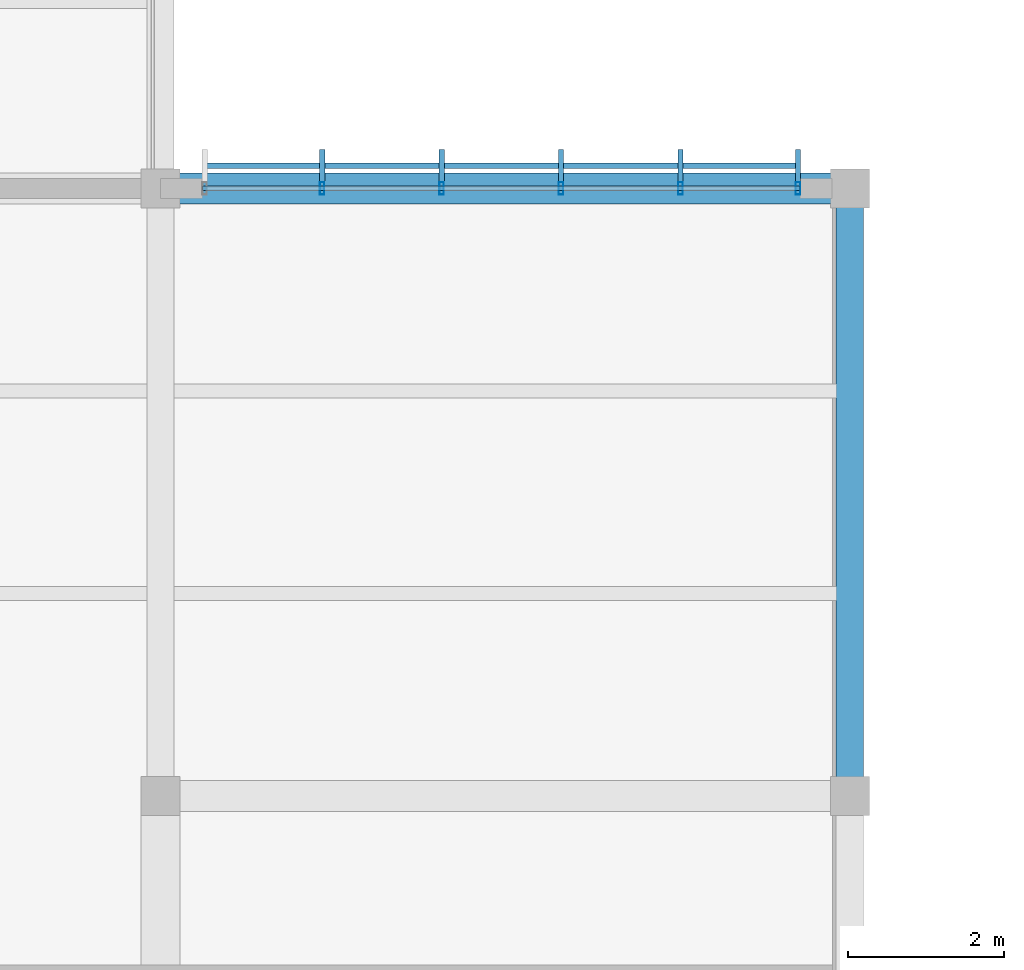
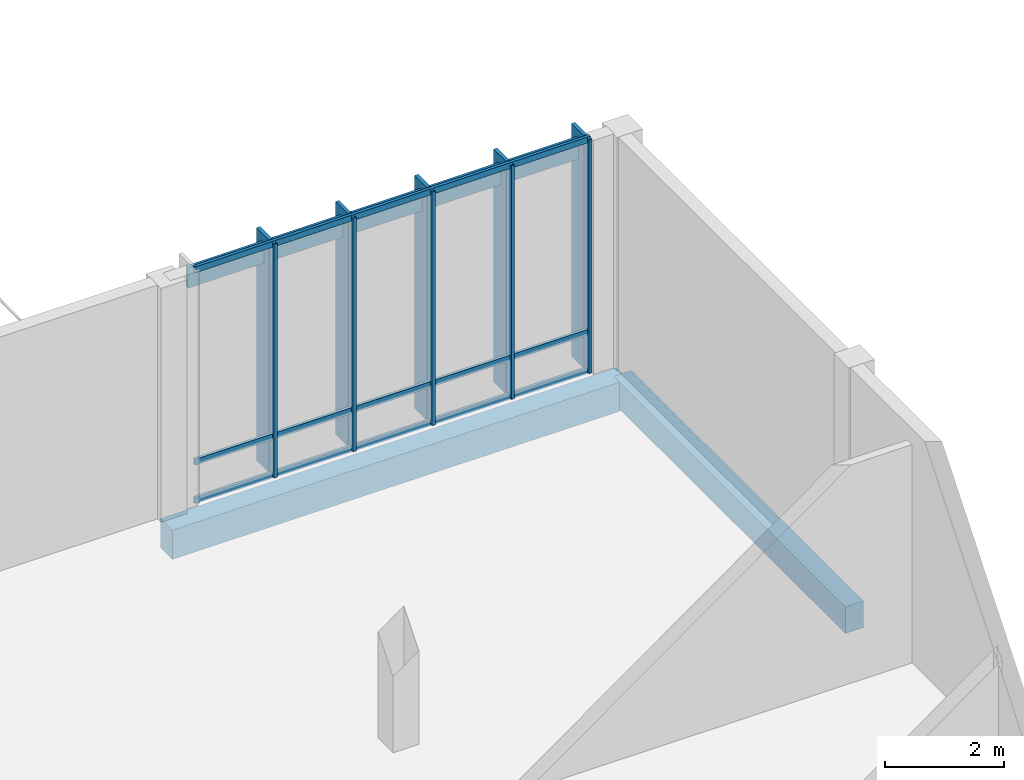
# One storey, part 57 of 177: 14 members, 2 beams, 1 element without a shape of its own.
"""IFC4 building model written with IfcOpenShell, lengths in metres."""

from ifc_helpers import new_model, si_unit, direction, frame, origin, origin_2d, place, context, subcontext, project, spatial, rectangle, hollow_rectangle, extrude, material, material_profile, profile_set, type_object, element, aggregate, save


model = new_model("IFC4")

# Units and contexts
model_context = context("Model", 3, precision=1e-05, world=origin(), true_north=direction((0.0, 1.0)))
body_context = subcontext(model_context, "Body", "Model", "MODEL_VIEW")
ifc_project = project(units=[si_unit("LENGTHUNIT", "METRE"), si_unit("AREAUNIT", "SQUARE_METRE"), si_unit("VOLUMEUNIT", "CUBIC_METRE"), si_unit("PLANEANGLEUNIT", "RADIAN"), si_unit("MASSUNIT", "GRAM", prefix="KILO")], contexts=[model_context])

# Site, building, storey
site_placement = place(None, origin())
site = spatial("IfcSite", under=ifc_project, at=site_placement, CompositionType="ELEMENT")
building_placement = place(site_placement, origin())
building = spatial("IfcBuilding", under=site, at=building_placement, Name="Chiffa Square Polytechnic", CompositionType="ELEMENT")
storey_placement = place(building_placement, frame((0.0, 0.0, 4.800048828125)))
storey = spatial("IfcBuildingStorey", under=building, at=storey_placement, Name="L01", CompositionType="ELEMENT", Elevation=4.800048828125)

# Beams
ifc_material_1 = material(Name="Concrete C35/45", Category="concrete")
ifc_material_profile_1 = material_profile(ifc_material_1, rectangle(XDim=0.35009765625, YDim=0.550048828125, at=origin_2d()), Name="RC 350x550")
ifc_profile_set_1 = profile_set([ifc_material_profile_1], Name="Concrete C35/45")
beam_type_1 = type_object("IfcBeamType", Name="BM-RC-350X550", PredefinedType="BEAM", material=ifc_profile_set_1)
beam_1_placement = place(storey_placement, frame((111.449951171875, 36.0, -0.554931640625), z_axis=(0.0, 1.0, 0.0), x_axis=(-1.0, 0.0, 0.0)))
element("IfcBeam", 1, at=beam_1_placement, inside=storey, type_object=beam_type_1, Name="Primary floor girder BM-V4-L01-Y-1114-0360", PredefinedType="BEAM", context=body_context, shape_type="SweptSolid", body=[
    extrude(rectangle(XDim=0.35009765625, YDim=0.550048828125, at=origin_2d()), origin(), (0.0, 0.0, 1.0), 7.800048828125),
])
ifc_material_profile_2 = material_profile(ifc_material_1, rectangle(XDim=0.39990234375, YDim=0.60009765625, at=origin_2d()), Name="RC 400x600")
ifc_profile_set_2 = profile_set([ifc_material_profile_2], Name="Concrete C35/45")
beam_type_2 = type_object("IfcBeamType", Name="BM-RC-400X600", PredefinedType="BEAM", material=ifc_profile_set_2)
beam_2_placement = place(storey_placement, frame((102.60009765625, 43.800048828125, -0.580078125), z_axis=(1.0, 0.0, 0.0), x_axis=(0.0, 1.0, 0.0)))
element("IfcBeam", 2, at=beam_2_placement, inside=storey, type_object=beam_type_2, Name="Primary floor girder BM-V4-L01-X-1026-0438", PredefinedType="BEAM", context=body_context, shape_type="SweptSolid", body=[
    extrude(rectangle(XDim=0.39990234375, YDim=0.60009765625, at=origin_2d()), origin(), (0.0, 0.0, 1.0), 8.849853515625),
])

# Curtain wall, members
ifc_material_2 = material(Name="Aluminium EN AW-6060 T66 and glulam shading", Category="wood")
curtain_wall_type = type_object("IfcCurtainWallType", Name="CW-VERT-450X380", PredefinedType="USERDEFINED", material=ifc_material_2)
curtain_wall_placement = place(storey_placement, origin())
curtain_wall = element("IfcCurtainWall", 3, at=curtain_wall_placement, inside=storey, type_object=curtain_wall_type, Name="Curtain wall CW-V4-L01-186", ObjectType="CURTAIN WALL", PredefinedType="USERDEFINED")
ifc_material_3 = material(Name="Aluminium EN AW-6060 T66", Category="aluminium")
ifc_material_profile_3 = material_profile(ifc_material_3, hollow_rectangle(XDim=0.06005859375, YDim=0.159912109375, WallThickness=0.00390625, at=origin_2d()), Name="ALU 60x160x4")
ifc_profile_set_3 = profile_set([ifc_material_profile_3], Name="Aluminium EN AW-6060 T66")
member_type_1 = type_object("IfcMemberType", Name="CWM-ALU-65X150", PredefinedType="MULLION", material=ifc_profile_set_3)
member_1_placement = place(storey_placement, frame((110.784912109375, 43.800048828125, 0.0), z_axis=(0.0, 0.0, 1.0), x_axis=(1.0, 0.0, 0.0)))
member_1 = element("IfcMember", 4, at=member_1_placement, type_object=member_type_1, Name="Curtain wall mullion CW-V4-L01-186-M00", PredefinedType="MULLION", context=body_context, shape_type="SweptSolid", body=[
    extrude(hollow_rectangle(XDim=0.06005859375, YDim=0.159912109375, WallThickness=0.00390625, at=origin_2d()), origin(), (0.0, 0.0, 1.0), 4.800048828125),
])
member_2_placement = place(storey_placement, frame((109.27587890625, 43.800048828125, 0.0), z_axis=(0.0, 0.0, 1.0), x_axis=(1.0, 0.0, 0.0)))
member_2 = element("IfcMember", 5, at=member_2_placement, type_object=member_type_1, Name="Curtain wall mullion CW-V4-L01-186-M01", PredefinedType="MULLION", context=body_context, shape_type="SweptSolid", body=[
    extrude(hollow_rectangle(XDim=0.06005859375, YDim=0.159912109375, WallThickness=0.00390625, at=origin_2d()), origin(), (0.0, 0.0, 1.0), 4.800048828125),
])
member_3_placement = place(storey_placement, frame((107.741943359375, 43.800048828125, 0.0), z_axis=(0.0, 0.0, 1.0), x_axis=(1.0, 0.0, 0.0)))
member_3 = element("IfcMember", 6, at=member_3_placement, type_object=member_type_1, Name="Curtain wall mullion CW-V4-L01-186-M02", PredefinedType="MULLION", context=body_context, shape_type="SweptSolid", body=[
    extrude(hollow_rectangle(XDim=0.06005859375, YDim=0.159912109375, WallThickness=0.00390625, at=origin_2d()), origin(), (0.0, 0.0, 1.0), 4.800048828125),
])
member_4_placement = place(storey_placement, frame((106.2080078125, 43.800048828125, 0.0), z_axis=(0.0, 0.0, 1.0), x_axis=(1.0, 0.0, 0.0)))
member_4 = element("IfcMember", 7, at=member_4_placement, type_object=member_type_1, Name="Curtain wall mullion CW-V4-L01-186-M03", PredefinedType="MULLION", context=body_context, shape_type="SweptSolid", body=[
    extrude(hollow_rectangle(XDim=0.06005859375, YDim=0.159912109375, WallThickness=0.00390625, at=origin_2d()), origin(), (0.0, 0.0, 1.0), 4.800048828125),
])
member_5_placement = place(storey_placement, frame((104.674072265625, 43.800048828125, 0.0), z_axis=(0.0, 0.0, 1.0), x_axis=(1.0, 0.0, 0.0)))
member_5 = element("IfcMember", 8, at=member_5_placement, type_object=member_type_1, Name="Curtain wall mullion CW-V4-L01-186-M04", PredefinedType="MULLION", context=body_context, shape_type="SweptSolid", body=[
    extrude(hollow_rectangle(XDim=0.06005859375, YDim=0.159912109375, WallThickness=0.00390625, at=origin_2d()), origin(), (0.0, 0.0, 1.0), 4.800048828125),
])
ifc_material_4 = material(Name="Glulam GL28h", Category="wood")
ifc_material_profile_4 = material_profile(ifc_material_4, rectangle(XDim=0.070068359375, YDim=0.419921875, at=origin_2d()), Name="GL28h 70x420")
ifc_profile_set_4 = profile_set([ifc_material_profile_4], Name="Glulam GL28h")
member_type_2 = type_object("IfcMemberType", Name="CWM-GL-70X420", PredefinedType="MULLION", material=ifc_profile_set_4)
member_6_placement = place(storey_placement, frame((110.784912109375, 44.092041015625, 0.010009765625), z_axis=(0.0, 0.0, 1.0), x_axis=(-1.0, 0.0, 0.0)))
member_6 = element("IfcMember", 9, at=member_6_placement, type_object=member_type_2, Name="Exterior glulam solar fin CW-V4-L01-186-FN00", PredefinedType="MULLION", context=body_context, shape_type="SweptSolid", body=[
    extrude(rectangle(XDim=0.070068359375, YDim=0.419921875, at=origin_2d()), origin(), (0.0, 0.0, 1.0), 4.780029296875),
])
member_7_placement = place(storey_placement, frame((109.27587890625, 44.092041015625, 0.010009765625), z_axis=(0.0, 0.0, 1.0), x_axis=(-1.0, 0.0, 0.0)))
member_7 = element("IfcMember", 10, at=member_7_placement, type_object=member_type_2, Name="Exterior glulam solar fin CW-V4-L01-186-FN01", PredefinedType="MULLION", context=body_context, shape_type="SweptSolid", body=[
    extrude(rectangle(XDim=0.070068359375, YDim=0.419921875, at=origin_2d()), origin(), (0.0, 0.0, 1.0), 4.780029296875),
])
member_8_placement = place(storey_placement, frame((107.741943359375, 44.092041015625, 0.010009765625), z_axis=(0.0, 0.0, 1.0), x_axis=(-1.0, 0.0, 0.0)))
member_8 = element("IfcMember", 11, at=member_8_placement, type_object=member_type_2, Name="Exterior glulam solar fin CW-V4-L01-186-FN02", PredefinedType="MULLION", context=body_context, shape_type="SweptSolid", body=[
    extrude(rectangle(XDim=0.070068359375, YDim=0.419921875, at=origin_2d()), origin(), (0.0, 0.0, 1.0), 4.780029296875),
])
member_9_placement = place(storey_placement, frame((106.2080078125, 44.092041015625, 0.010009765625), z_axis=(0.0, 0.0, 1.0), x_axis=(-1.0, 0.0, 0.0)))
member_9 = element("IfcMember", 12, at=member_9_placement, type_object=member_type_2, Name="Exterior glulam solar fin CW-V4-L01-186-FN03", PredefinedType="MULLION", context=body_context, shape_type="SweptSolid", body=[
    extrude(rectangle(XDim=0.070068359375, YDim=0.419921875, at=origin_2d()), origin(), (0.0, 0.0, 1.0), 4.780029296875),
])
member_10_placement = place(storey_placement, frame((104.674072265625, 44.092041015625, 0.010009765625), z_axis=(0.0, 0.0, 1.0), x_axis=(-1.0, 0.0, 0.0)))
member_10 = element("IfcMember", 13, at=member_10_placement, type_object=member_type_2, Name="Exterior glulam solar fin CW-V4-L01-186-FN04", PredefinedType="MULLION", context=body_context, shape_type="SweptSolid", body=[
    extrude(rectangle(XDim=0.070068359375, YDim=0.419921875, at=origin_2d()), origin(), (0.0, 0.0, 1.0), 4.780029296875),
])
ifc_material_profile_5 = material_profile(ifc_material_3, hollow_rectangle(XDim=0.06005859375, YDim=0.1201171875, WallThickness=0.00390625, at=origin_2d()), Name="ALU 60x120x4")
ifc_profile_set_5 = profile_set([ifc_material_profile_5], Name="Aluminium EN AW-6060 T66")
member_type_3 = type_object("IfcMemberType", Name="CWT-ALU-65X120", PredefinedType="USERDEFINED", material=ifc_profile_set_5)
member_11_placement = place(storey_placement, frame((110.81201171875, 43.800048828125, 0.030029296875), z_axis=(-1.0, 0.0, 0.0), x_axis=(0.0, -1.0, 0.0)))
member_11 = element("IfcMember", 14, at=member_11_placement, type_object=member_type_3, Name="Curtain wall transom CW-V4-L01-186-T01", ObjectType="TRANSOM", PredefinedType="USERDEFINED", context=body_context, shape_type="SweptSolid", body=[
    extrude(hollow_rectangle(XDim=0.06005859375, YDim=0.1201171875, WallThickness=0.00390625, at=origin_2d()), origin(), (0.0, 0.0, 1.0), 7.674072265625),
])
member_12_placement = place(storey_placement, frame((110.81201171875, 43.800048828125, 0.820068359375), z_axis=(-1.0, 0.0, 0.0), x_axis=(0.0, -1.0, 0.0)))
member_12 = element("IfcMember", 15, at=member_12_placement, type_object=member_type_3, Name="Curtain wall transom CW-V4-L01-186-T02", ObjectType="TRANSOM", PredefinedType="USERDEFINED", context=body_context, shape_type="SweptSolid", body=[
    extrude(hollow_rectangle(XDim=0.06005859375, YDim=0.1201171875, WallThickness=0.00390625, at=origin_2d()), origin(), (0.0, 0.0, 1.0), 7.674072265625),
])
member_13_placement = place(storey_placement, frame((110.81201171875, 43.800048828125, 4.77001953125), z_axis=(-1.0, 0.0, 0.0), x_axis=(0.0, -1.0, 0.0)))
member_13 = element("IfcMember", 16, at=member_13_placement, type_object=member_type_3, Name="Curtain wall transom CW-V4-L01-186-T03", ObjectType="TRANSOM", PredefinedType="USERDEFINED", context=body_context, shape_type="SweptSolid", body=[
    extrude(hollow_rectangle(XDim=0.06005859375, YDim=0.1201171875, WallThickness=0.00390625, at=origin_2d()), origin(), (0.0, 0.0, 1.0), 7.674072265625),
])
ifc_material_profile_6 = material_profile(ifc_material_4, rectangle(XDim=0.070068359375, YDim=0.419921875, at=origin_2d()), Name="GL28h 70x420")
ifc_profile_set_6 = profile_set([ifc_material_profile_6], Name="Glulam GL28h")
member_type_4 = type_object("IfcMemberType", Name="CWT-GL-70X420", PredefinedType="USERDEFINED", material=ifc_profile_set_6)
member_14_placement = place(storey_placement, frame((110.784912109375, 44.092041015625, 4.419921875), z_axis=(-1.0, 0.0, 0.0), x_axis=(0.0, -1.0, 0.0)))
member_14 = element("IfcMember", 17, at=member_14_placement, type_object=member_type_4, Name="Exterior glulam brise-soleil CW-V4-L01-186-BS01", ObjectType="TRANSOM", PredefinedType="USERDEFINED", context=body_context, shape_type="SweptSolid", body=[
    extrude(rectangle(XDim=0.070068359375, YDim=0.419921875, at=origin_2d()), origin(), (0.0, 0.0, 1.0), 7.619873046875),
])
aggregate(curtain_wall, [member_1, member_6, member_2, member_7, member_3, member_8, member_4, member_9, member_5, member_10, member_11, member_12, member_13, member_14])

save(model, "model.ifc")
